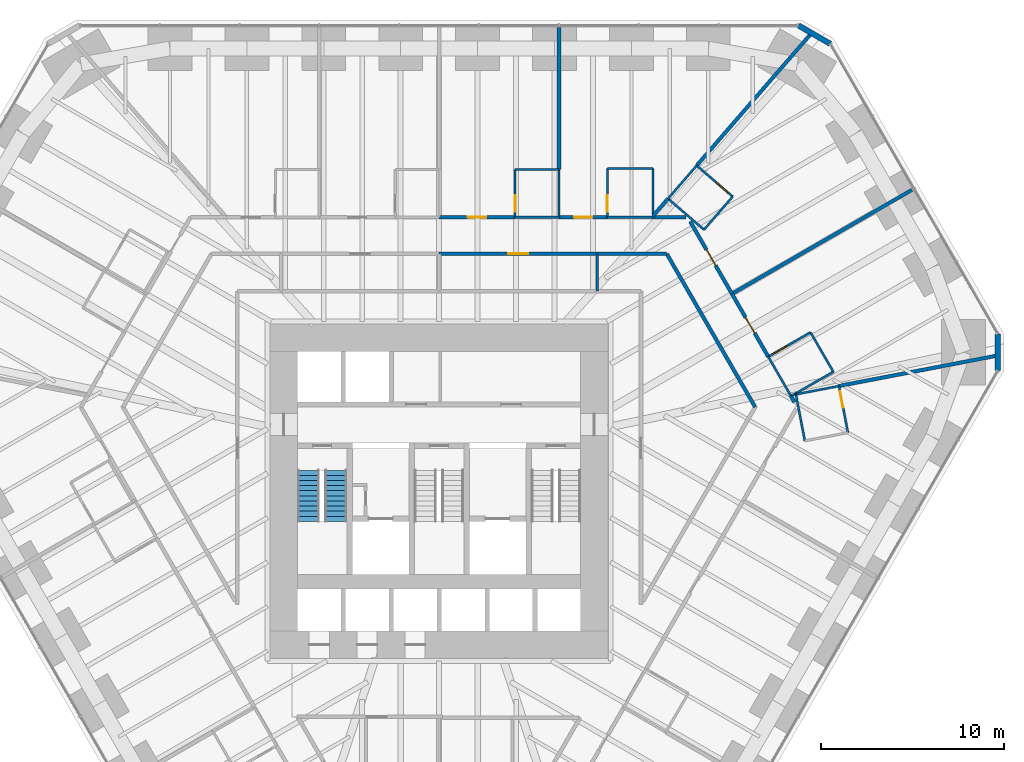
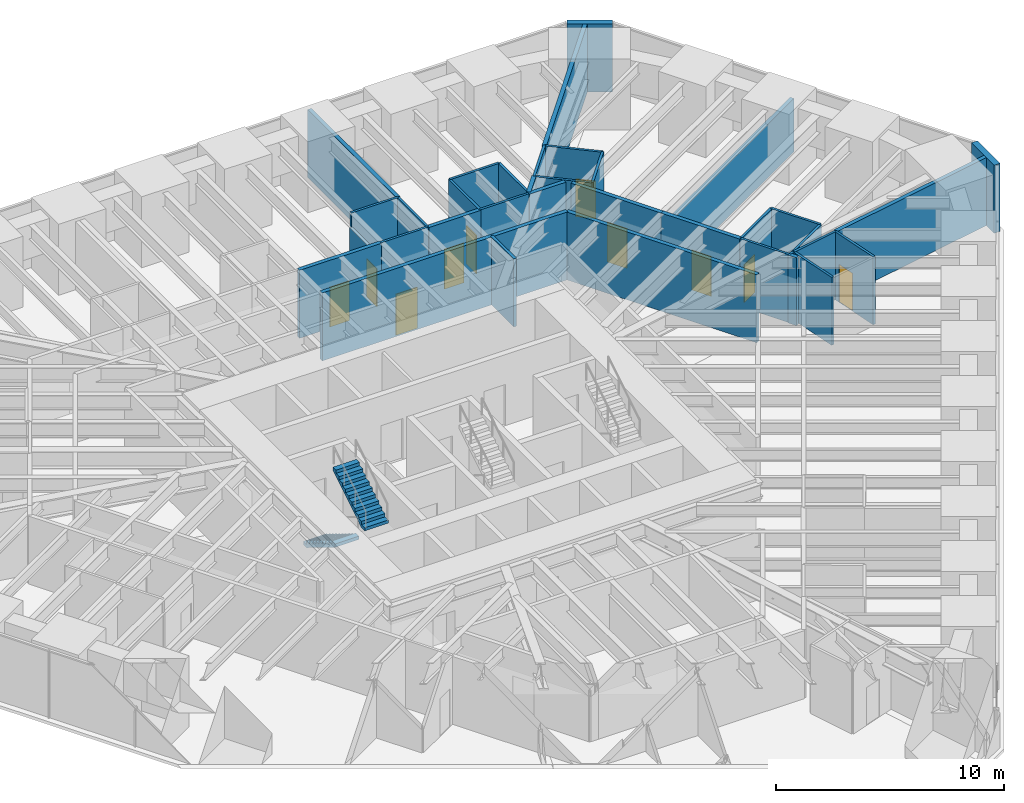
# One storey, part 15 of 17: 37 walls, 10 doors, 2 stair flights, 10 openings, 1 element without a shape of its own.
"""IFC4 building model written with IfcOpenShell, lengths in metres."""

from ifc_helpers import new_model, si_unit, direction, frame, frame_2d, origin, place, context, subcontext, project, spatial, polyline, rectangle, outline, extrude, material, layer, layer_set, type_object, element, fill, aggregate, save


model = new_model("IFC4")

# Units and contexts
model_context = context("Model", 3, precision=1e-05, world=origin(), true_north=direction((0.0, 1.0)))
body_context = subcontext(model_context, "Body", "Model", "MODEL_VIEW")
ifc_project = project(units=[si_unit("LENGTHUNIT", "METRE"), si_unit("AREAUNIT", "SQUARE_METRE"), si_unit("VOLUMEUNIT", "CUBIC_METRE"), si_unit("PLANEANGLEUNIT", "RADIAN"), si_unit("MASSUNIT", "GRAM", prefix="KILO")], contexts=[model_context])

# Site, building, storey
site_placement = place(None, origin())
site = spatial("IfcSite", under=ifc_project, at=site_placement, CompositionType="ELEMENT")
building_placement = place(site_placement, origin())
building = spatial("IfcBuilding", under=site, at=building_placement, Name="Sandreach Pilgrim Tower", CompositionType="ELEMENT")
storey_placement = place(building_placement, frame((0.0, 0.0, 45.800048828125)))
storey = spatial("IfcBuildingStorey", under=building, at=storey_placement, Name="L10", CompositionType="ELEMENT", Elevation=45.800048828125)

# Wall
ifc_material_1 = material(Name="Gypsum board on steel studs", Category="steel")
ifc_layer_1 = layer(ifc_material_1, 0.14990234375)
ifc_layer_set_1 = layer_set([ifc_layer_1], Name="Back of house wall 150")
wall_type_1 = type_object("IfcWallType", Name="Back of house wall 150", PredefinedType="PARTITIONING", material=ifc_layer_set_1)
wall_1_placement = place(storey_placement, frame((8.64990234375, 11.449951171875, 0.0), z_axis=(0.0, 0.0, 1.0), x_axis=(0.0, -1.0, 0.0)))
element("IfcWall", 1, at=wall_1_placement, inside=storey, type_object=wall_type_1, Name="Back of house wall L10-094", PredefinedType="PARTITIONING", context=body_context, shape_type="SweptSolid", body=[
    extrude(rectangle(XDim=2.050048828125, YDim=0.14990234375, at=frame_2d((1.02490234375, 0.0))), origin(), (0.0, 0.0, 1.0), 3.639892578125),
])

# Wall, opening, door
ifc_material_2 = material(Name="Moisture-resistant gypsum board on steel studs", Category="steel")
ifc_layer_2 = layer(ifc_material_2, 0.1201171875)
ifc_layer_set_2 = layer_set([ifc_layer_2], Name="Bathroom partition 120")
wall_type_2 = type_object("IfcWallType", Name="Bathroom partition 120", PredefinedType="PARTITIONING", material=ifc_layer_set_2)
wall_2_placement = place(storey_placement, frame((4.159912109375, 16.070068359375, 0.0), z_axis=(0.0, 0.0, 1.0), x_axis=(0.0, -1.0, 0.0)))
wall_2 = element("IfcWall", 2, at=wall_2_placement, inside=storey, type_object=wall_type_2, Name="Bathroom partition L10-076", PredefinedType="PARTITIONING", context=body_context, shape_type="SweptSolid", body=[
    extrude(rectangle(XDim=2.6201171875, YDim=0.1201171875, at=frame_2d((1.31005859375, 0.0))), origin(), (0.0, 0.0, 1.0), 2.8779296875),
])
opening_1_placement = place(wall_2_placement, frame((1.419921875, 0.0, 0.0)))
opening_1 = element("IfcOpeningElement", 3, at=opening_1_placement, cuts=wall_2, Name="Opening D09-03B", PredefinedType="OPENING", context=body_context, shape_type="SweptSolid", body=[
    extrude(rectangle(XDim=0.89990234375, YDim=2.030029296875, at=frame_2d((0.449951171875, 1.01513671875))), frame((0.0, 0.06005859375, 0.0), z_axis=(0.0, -1.0, 0.0), x_axis=(1.0, 0.0, 0.0)), (0.0, 0.0, 1.0), 0.1201171875),
])
ifc_material_3 = material(Name="Timber door, steel frame", Category="steel")
door_type_1 = type_object("IfcDoorType", Name="Bathroom door", OperationType="SINGLE_SWING_LEFT", PredefinedType="DOOR", material=ifc_material_3)
door_1_placement = place(opening_1_placement, origin())
door_1 = element("IfcDoor", 4, at=door_1_placement, inside=storey, type_object=door_type_1, Name="Door 1003B", OperationType="SINGLE_SWING_RIGHT", OverallHeight=2.030029296875, OverallWidth=0.89990234375, PredefinedType="DOOR", context=body_context, shape_type="SweptSolid", body=[
    extrude(rectangle(XDim=0.89990234375, YDim=2.030029296875, at=frame_2d((0.449951171875, 1.01513671875))), frame((0.0, 0.02490234375, 0.0), z_axis=(0.0, -1.0, 0.0), x_axis=(1.0, 0.0, 0.0)), (0.0, 0.0, 1.0), 0.050048828125),
])
fill(opening_1, door_1)

# Walls
for number, where, z_axis, x_axis, name in (
    (5, (6.56005859375, 13.449951171875, 0.0), (0.0, 0.0, 1.0), (-1.0, 0.0, 0.0), "Bathroom partition L10-081"),
    (6, (6.56005859375, 16.070068359375, 0.0), (0.0, 0.0, 1.0), (-1.0, 0.0, 0.0), "Bathroom partition L10-082"),
):
    element("IfcWall", number, at=place(storey_placement, frame(where, z_axis=z_axis, x_axis=x_axis)), inside=storey, type_object=wall_type_2, Name=name, PredefinedType="PARTITIONING", context=body_context, shape_type="SweptSolid", body=[
        extrude(rectangle(XDim=2.400146484375, YDim=0.1201171875, at=frame_2d((1.2001953125, 0.0))), origin(), (0.0, 0.0, 1.0), 3.639892578125),
    ])
wall_3_placement = place(storey_placement, frame((6.56005859375, 16.070068359375, 0.0), z_axis=(0.0, 0.0, 1.0), x_axis=(0.0, -1.0, 0.0)))
element("IfcWall", 7, at=wall_3_placement, inside=storey, type_object=wall_type_2, Name="Bathroom partition L10-083", PredefinedType="PARTITIONING", context=body_context, shape_type="SweptSolid", body=[
    extrude(rectangle(XDim=2.6201171875, YDim=0.1201171875, at=frame_2d((1.31005859375, 0.0))), origin(), (0.0, 0.0, 1.0), 3.639892578125),
])

# Wall, opening, door
wall_4_placement = place(storey_placement, frame((9.2099609375, 16.1201171875, 0.0), z_axis=(0.0, 0.0, 1.0), x_axis=(0.0, -1.0, 0.0)))
wall_4 = element("IfcWall", 8, at=wall_4_placement, inside=storey, type_object=wall_type_2, Name="Bathroom partition L10-098", PredefinedType="PARTITIONING", context=body_context, shape_type="SweptSolid", body=[
    extrude(rectangle(XDim=2.670166015625, YDim=0.1201171875, at=frame_2d((1.3349609375, 0.0))), origin(), (0.0, 0.0, 1.0), 3.639892578125),
])
opening_2_placement = place(wall_4_placement, frame((1.469970703125, 0.0, 0.0)))
opening_2 = element("IfcOpeningElement", 9, at=opening_2_placement, cuts=wall_4, Name="Opening D09-04B", PredefinedType="OPENING", context=body_context, shape_type="SweptSolid", body=[
    extrude(rectangle(XDim=0.89990234375, YDim=2.030029296875, at=frame_2d((0.449951171875, 1.01513671875))), frame((0.0, 0.06005859375, 0.0), z_axis=(0.0, -1.0, 0.0), x_axis=(1.0, 0.0, 0.0)), (0.0, 0.0, 1.0), 0.1201171875),
])
door_2_placement = place(opening_2_placement, origin())
door_2 = element("IfcDoor", 10, at=door_2_placement, inside=storey, type_object=door_type_1, Name="Door 1004B", OperationType="SINGLE_SWING_RIGHT", OverallHeight=2.030029296875, OverallWidth=0.89990234375, PredefinedType="DOOR", context=body_context, shape_type="SweptSolid", body=[
    extrude(rectangle(XDim=0.89990234375, YDim=2.030029296875, at=frame_2d((0.449951171875, 1.01513671875))), frame((0.0, 0.02490234375, 0.0), z_axis=(0.0, -1.0, 0.0), x_axis=(1.0, 0.0, 0.0)), (0.0, 0.0, 1.0), 0.050048828125),
])
fill(opening_2, door_2)

# Walls
wall_5_placement = place(storey_placement, frame((11.64990234375, 13.449951171875, 0.0), z_axis=(0.0, 0.0, 1.0), x_axis=(-1.0, 0.0, 0.0)))
element("IfcWall", 11, at=wall_5_placement, inside=storey, type_object=wall_type_2, Name="Bathroom partition L10-105", PredefinedType="PARTITIONING", context=body_context, shape_type="SweptSolid", body=[
    extrude(rectangle(XDim=2.43994140625, YDim=0.1201171875, at=frame_2d((1.219970703125, 0.0))), origin(), (0.0, 0.0, 1.0), 3.639892578125),
])
wall_6_placement = place(storey_placement, frame((11.7099609375, 13.60498046875, 0.0), z_axis=(0.0, 0.0, 1.0), x_axis=(0.0, 1.0, 0.0)))
element("IfcWall", 12, at=wall_6_placement, inside=storey, type_object=wall_type_2, Name="Bathroom partition L10-106", PredefinedType="PARTITIONING", context=body_context, shape_type="SweptSolid", body=[
    extrude(rectangle(XDim=2.51513671875, YDim=0.1201171875, at=frame_2d((1.257568359375, 0.0))), origin(), (0.0, 0.0, 1.0), 3.639892578125),
])
wall_7_placement = place(storey_placement, frame((11.7099609375, 16.1201171875, 0.0), z_axis=(0.0, 0.0, 1.0), x_axis=(-1.0, 0.0, 0.0)))
element("IfcWall", 13, at=wall_7_placement, inside=storey, type_object=wall_type_2, Name="Bathroom partition L10-107", PredefinedType="PARTITIONING", context=body_context, shape_type="SweptSolid", body=[
    extrude(rectangle(XDim=2.5, YDim=0.1201171875, at=frame_2d((1.25, 0.0))), origin(), (0.0, 0.0, 1.0), 3.639892578125),
])
wall_8_placement = place(storey_placement, frame((12.530029296875, 14.469970703125, 0.0), z_axis=(0.0, 0.0, 1.0), x_axis=(0.655194291402, 0.755460416245, 0.0)))
element("IfcWall", 14, at=wall_8_placement, inside=storey, type_object=wall_type_2, Name="Bathroom partition L10-111", PredefinedType="PARTITIONING", context=body_context, shape_type="SweptSolid", body=[
    extrude(rectangle(XDim=2.39599609375, YDim=0.1201171875, at=frame_2d((1.197998046875, 0.0))), origin(), (0.0, 0.0, 1.0), 3.639892578125),
])
wall_9_placement = place(storey_placement, frame((12.530029296875, 14.469970703125, 0.0), z_axis=(0.0, 0.0, 1.0), x_axis=(0.757086659925, -0.653314464377, 0.0)))
element("IfcWall", 15, at=wall_9_placement, inside=storey, type_object=wall_type_2, Name="Bathroom partition L10-112", PredefinedType="PARTITIONING", context=body_context, shape_type="SweptSolid", body=[
    extrude(rectangle(XDim=2.60205078125, YDim=0.1201171875, at=frame_2d((1.301025390625, 0.0))), origin(), (0.0, 0.0, 1.0), 3.639892578125),
])
wall_10_placement = place(storey_placement, frame((14.5, 12.77001953125, 0.0), z_axis=(0.0, 0.0, 1.0), x_axis=(0.655252439976, 0.755409981338, 0.0)))
element("IfcWall", 16, at=wall_10_placement, inside=storey, type_object=wall_type_2, Name="Bathroom partition L10-117", PredefinedType="PARTITIONING", context=body_context, shape_type="SweptSolid", body=[
    extrude(rectangle(XDim=2.396240234375, YDim=0.1201171875, at=frame_2d((1.1982421875, 0.0))), origin(), (0.0, 0.0, 1.0), 3.639892578125),
])

# Wall, opening, door
wall_11_placement = place(storey_placement, frame((16.070068359375, 14.580078125, 0.0), z_axis=(0.0, 0.0, 1.0), x_axis=(-0.757086659925, 0.653314464377, 0.0)))
wall_11 = element("IfcWall", 17, at=wall_11_placement, inside=storey, type_object=wall_type_2, Name="Bathroom partition L10-119", PredefinedType="PARTITIONING", context=body_context, shape_type="SweptSolid", body=[
    extrude(rectangle(XDim=2.60205078125, YDim=0.1201171875, at=frame_2d((1.301025390625, 0.0))), origin(), (0.0, 0.0, 1.0), 3.639892578125),
])
opening_3_placement = place(wall_11_placement, frame((0.300048828125, 0.0, 0.0)))
opening_3 = element("IfcOpeningElement", 18, at=opening_3_placement, cuts=wall_11, Name="Opening D09-05B", PredefinedType="OPENING", context=body_context, shape_type="SweptSolid", body=[
    extrude(rectangle(XDim=0.89990234375, YDim=2.030029296875, at=frame_2d((0.449951171875, 1.01513671875))), frame((0.0, 0.06005859375, 0.0), z_axis=(0.0, -1.0, 0.0), x_axis=(1.0, 0.0, 0.0)), (0.0, 0.0, 1.0), 0.1201171875),
])
door_3_placement = place(opening_3_placement, origin())
door_3 = element("IfcDoor", 19, at=door_3_placement, inside=storey, type_object=door_type_1, Name="Door 1005B", OperationType="SINGLE_SWING_LEFT", OverallHeight=2.030029296875, OverallWidth=0.89990234375, PredefinedType="DOOR", context=body_context, shape_type="SweptSolid", body=[
    extrude(rectangle(XDim=0.89990234375, YDim=2.030029296875, at=frame_2d((0.449951171875, 1.01513671875))), frame((0.0, 0.02490234375, 0.0), z_axis=(0.0, -1.0, 0.0), x_axis=(1.0, 0.0, 0.0)), (0.0, 0.0, 1.0), 0.050048828125),
])
fill(opening_3, door_3)

# Walls
wall_12_placement = place(storey_placement, frame((18.017578125, 5.818603515625, 0.0), z_axis=(0.0, 0.0, 1.0), x_axis=(0.499757016066, -0.866165645181, 0.0)))
element("IfcWall", 20, at=wall_12_placement, inside=storey, type_object=wall_type_2, Name="Bathroom partition L10-123", PredefinedType="PARTITIONING", context=body_context, shape_type="SweptSolid", body=[
    extrude(rectangle(XDim=2.446044921875, YDim=0.1201171875, at=frame_2d((1.22314453125, 0.0))), origin(), (0.0, 0.0, 1.0), 3.639892578125),
])
wall_13_placement = place(storey_placement, frame((19.274169921875, 3.70703125, 0.0), z_axis=(0.0, 0.0, 1.0), x_axis=(0.979121116236, 0.203277740395, 0.0)))
element("IfcWall", 21, at=wall_13_placement, inside=storey, type_object=wall_type_2, Name="Bathroom partition L10-125", PredefinedType="PARTITIONING", context=body_context, shape_type="SweptSolid", body=[
    extrude(rectangle(XDim=0.216064453125, YDim=0.1201171875, at=frame_2d((0.10791015625, 0.0))), origin(), (0.0, 0.0, 1.0), 3.639892578125),
])
wall_14_placement = place(storey_placement, frame((19.409912109375, 3.739990234375, 0.0), z_axis=(0.0, 0.0, 1.0), x_axis=(0.86653430447, 0.499117520406, 0.0)))
element("IfcWall", 22, at=wall_14_placement, inside=storey, type_object=wall_type_2, Name="Bathroom partition L10-126", PredefinedType="PARTITIONING", context=body_context, shape_type="SweptSolid", body=[
    extrude(rectangle(XDim=2.50439453125, YDim=0.1201171875, at=frame_2d((1.252197265625, 0.0))), origin(), (0.0, 0.0, 1.0), 3.639892578125),
])
wall_15_placement = place(storey_placement, frame((19.530029296875, 3.760009765625, 0.0), z_axis=(0.0, 0.0, 1.0), x_axis=(0.188697442844, -0.982035271802, 0.0)))
element("IfcWall", 23, at=wall_15_placement, inside=storey, type_object=wall_type_2, Name="Bathroom partition L10-127", PredefinedType="PARTITIONING", context=body_context, shape_type="SweptSolid", body=[
    extrude(rectangle(XDim=2.5966796875, YDim=0.1201171875, at=frame_2d((1.29833984375, 0.0))), origin(), (0.0, 0.0, 1.0), 3.639892578125),
])
wall_16_placement = place(storey_placement, frame((19.530029296875, 3.760009765625, 0.0), z_axis=(0.0, 0.0, 1.0), x_axis=(0.982303859288, 0.187294228499, 0.0)))
element("IfcWall", 24, at=wall_16_placement, inside=storey, type_object=wall_type_2, Name="Bathroom partition L10-128", PredefinedType="PARTITIONING", context=body_context, shape_type="SweptSolid", body=[
    extrude(rectangle(XDim=2.40234375, YDim=0.1201171875, at=frame_2d((1.201171875, 0.0))), origin(), (0.0, 0.0, 1.0), 3.639892578125),
])

# Wall, opening, door
wall_17_placement = place(storey_placement, frame((20.330078125, 7.14990234375, 0.0), z_axis=(0.0, 0.0, 1.0), x_axis=(-0.866654860089, -0.498908161372, 0.0)))
wall_17 = element("IfcWall", 25, at=wall_17_placement, inside=storey, type_object=wall_type_2, Name="Bathroom partition L10-130", PredefinedType="PARTITIONING", context=body_context, shape_type="SweptSolid", body=[
    extrude(rectangle(XDim=2.66552734375, YDim=0.1201171875, at=frame_2d((1.332763671875, 0.0))), origin(), (0.0, 0.0, 1.0), 3.639892578125),
])
opening_4_placement = place(wall_17_placement, frame((1.465576171875, 0.0, 0.0)))
opening_4 = element("IfcOpeningElement", 26, at=opening_4_placement, cuts=wall_17, Name="Opening D09-06B", PredefinedType="OPENING", context=body_context, shape_type="SweptSolid", body=[
    extrude(rectangle(XDim=0.89990234375, YDim=2.030029296875, at=frame_2d((0.449951171875, 1.01513671875))), frame((0.0, 0.06005859375, 0.0), z_axis=(0.0, -1.0, 0.0), x_axis=(1.0, 0.0, 0.0)), (0.0, 0.0, 1.0), 0.1201171875),
])
door_4_placement = place(opening_4_placement, origin())
door_4 = element("IfcDoor", 27, at=door_4_placement, inside=storey, type_object=door_type_1, Name="Door 1006B", OperationType="SINGLE_SWING_RIGHT", OverallHeight=2.030029296875, OverallWidth=0.89990234375, PredefinedType="DOOR", context=body_context, shape_type="SweptSolid", body=[
    extrude(rectangle(XDim=0.89990234375, YDim=2.030029296875, at=frame_2d((0.449951171875, 1.01513671875))), frame((0.0, 0.02490234375, 0.0), z_axis=(0.0, -1.0, 0.0), x_axis=(1.0, 0.0, 0.0)), (0.0, 0.0, 1.0), 0.050048828125),
])
fill(opening_4, door_4)

# Wall
wall_18_placement = place(storey_placement, frame((21.580078125, 4.989990234375, 0.0), z_axis=(0.0, 0.0, 1.0), x_axis=(-0.500893576935, 0.865508881864, 0.0)))
element("IfcWall", 28, at=wall_18_placement, inside=storey, type_object=wall_type_2, Name="Bathroom partition L10-131", PredefinedType="PARTITIONING", context=body_context, shape_type="SweptSolid", body=[
    extrude(rectangle(XDim=2.49560546875, YDim=0.1201171875, at=frame_2d((1.247802734375, 0.0))), origin(), (0.0, 0.0, 1.0), 3.639892578125),
])

# Wall, opening, door
wall_19_placement = place(storey_placement, frame((22.3798828125, 1.659912109375, 0.0), z_axis=(0.0, 0.0, 1.0), x_axis=(-0.188697442844, 0.982035271802, 0.0)))
wall_19 = element("IfcWall", 29, at=wall_19_placement, inside=storey, type_object=wall_type_2, Name="Bathroom partition L10-133", PredefinedType="PARTITIONING", context=body_context, shape_type="SweptSolid", body=[
    extrude(rectangle(XDim=2.5966796875, YDim=0.1201171875, at=frame_2d((1.29833984375, 0.0))), origin(), (0.0, 0.0, 1.0), 3.639892578125),
])
opening_5_placement = place(wall_19_placement, frame((1.396728515625, 0.0, 0.0)))
opening_5 = element("IfcOpeningElement", 30, at=opening_5_placement, cuts=wall_19, Name="Opening D09-07B", PredefinedType="OPENING", context=body_context, shape_type="SweptSolid", body=[
    extrude(rectangle(XDim=0.89990234375, YDim=2.030029296875, at=frame_2d((0.449951171875, 1.01513671875))), frame((0.0, 0.06005859375, 0.0), z_axis=(0.0, -1.0, 0.0), x_axis=(1.0, 0.0, 0.0)), (0.0, 0.0, 1.0), 0.1201171875),
])
door_5_placement = place(opening_5_placement, origin())
door_5 = element("IfcDoor", 31, at=door_5_placement, inside=storey, type_object=door_type_1, Name="Door 1007B", OperationType="SINGLE_SWING_RIGHT", OverallHeight=2.030029296875, OverallWidth=0.89990234375, PredefinedType="DOOR", context=body_context, shape_type="SweptSolid", body=[
    extrude(rectangle(XDim=0.89990234375, YDim=2.030029296875, at=frame_2d((0.449951171875, 1.01513671875))), frame((0.0, 0.02490234375, 0.0), z_axis=(0.0, -1.0, 0.0), x_axis=(1.0, 0.0, 0.0)), (0.0, 0.0, 1.0), 0.050048828125),
])
fill(opening_5, door_5)

ifc_material_4 = material(Name="Gypsum board on steel studs, two layers each side", Category="steel")
ifc_layer_3 = layer(ifc_material_4, 0.199951171875)
ifc_layer_set_3 = layer_set([ifc_layer_3], Name="Corridor wall 200")
wall_type_3 = type_object("IfcWallType", Name="Corridor wall 200", PredefinedType="PARTITIONING", material=ifc_layer_set_3)
wall_20_placement = place(storey_placement, frame((0.0, 11.449951171875, 0.0), z_axis=(0.0, 0.0, 1.0), x_axis=(1.0, 0.0, 0.0)))
wall_20 = element("IfcWall", 32, at=wall_20_placement, inside=storey, type_object=wall_type_3, Name="Corridor wall L10-065", PredefinedType="PARTITIONING", context=body_context, shape_type="SweptSolid", body=[
    extrude(rectangle(XDim=8.64990234375, YDim=0.199951171875, at=frame_2d((4.324951171875, 0.0))), origin(), (0.0, 0.0, 1.0), 3.639892578125),
])
opening_6_placement = place(wall_20_placement, frame((3.77490234375, 0.0, 0.0)))
opening_6 = element("IfcOpeningElement", 33, at=opening_6_placement, cuts=wall_20, Name="Opening D11H-M03", PredefinedType="OPENING", context=body_context, shape_type="SweptSolid", body=[
    extrude(rectangle(XDim=1.10009765625, YDim=2.199951171875, at=frame_2d((0.550048828125, 1.10009765625))), frame((0.0, 0.10009765625, 0.0), z_axis=(0.0, -1.0, 0.0), x_axis=(1.0, 0.0, 0.0)), (0.0, 0.0, 1.0), 0.199951171875),
])
ifc_material_5 = material(Name="Steel door and frame", Category="steel")
door_type_2 = type_object("IfcDoorType", Name="Back of house door", OperationType="SINGLE_SWING_LEFT", PredefinedType="DOOR", material=ifc_material_5)
door_6_placement = place(opening_6_placement, origin())
door_6 = element("IfcDoor", 34, at=door_6_placement, inside=storey, type_object=door_type_2, Name="Door 10M03", OperationType="SINGLE_SWING_LEFT", OverallHeight=2.199951171875, OverallWidth=1.10009765625, PredefinedType="DOOR", context=body_context, shape_type="SweptSolid", body=[
    extrude(rectangle(XDim=1.10009765625, YDim=2.199951171875, at=frame_2d((0.550048828125, 1.10009765625))), frame((0.0, 0.02490234375, 0.0), z_axis=(0.0, -1.0, 0.0), x_axis=(1.0, 0.0, 0.0)), (0.0, 0.0, 1.0), 0.050048828125),
])
fill(opening_6, door_6)

wall_21_placement = place(storey_placement, frame((4.159912109375, 13.449951171875, 0.0), z_axis=(0.0, 0.0, 1.0), x_axis=(-1.0, 0.0, 0.0)))
wall_21 = element("IfcWall", 35, at=wall_21_placement, inside=storey, type_object=wall_type_3, Name="Corridor wall L10-075", PredefinedType="PARTITIONING", context=body_context, shape_type="SweptSolid", body=[
    extrude(rectangle(XDim=4.159912109375, YDim=0.199951171875, at=frame_2d((2.080078125, 0.0))), origin(), (0.0, 0.0, 1.0), 3.639892578125),
])
opening_7_placement = place(wall_21_placement, frame((1.580078125, 0.0, 0.0)))
opening_7 = element("IfcOpeningElement", 36, at=opening_7_placement, cuts=wall_21, Name="Opening D10-03", PredefinedType="OPENING", context=body_context, shape_type="SweptSolid", body=[
    extrude(rectangle(XDim=1.0, YDim=2.1298828125, at=frame_2d((0.5, 1.06494140625))), frame((0.0, 0.10009765625, 0.0), z_axis=(0.0, -1.0, 0.0), x_axis=(1.0, 0.0, 0.0)), (0.0, 0.0, 1.0), 0.199951171875),
])
ifc_material_6 = material(Name="Steel door and frame", Category="steel")
door_type_3 = type_object("IfcDoorType", Name="Guest room entry door", OperationType="SINGLE_SWING_LEFT", PredefinedType="DOOR", material=ifc_material_6)
door_7_placement = place(opening_7_placement, origin())
door_7 = element("IfcDoor", 37, at=door_7_placement, inside=storey, type_object=door_type_3, Name="Door 1003", OperationType="SINGLE_SWING_LEFT", OverallHeight=2.1298828125, OverallWidth=1.0, PredefinedType="DOOR", context=body_context, shape_type="SweptSolid", body=[
    extrude(rectangle(XDim=1.0, YDim=2.1298828125, at=frame_2d((0.5, 1.06494140625))), frame((0.0, 0.02490234375, 0.0), z_axis=(0.0, -1.0, 0.0), x_axis=(1.0, 0.0, 0.0)), (0.0, 0.0, 1.0), 0.050048828125),
])
fill(opening_7, door_7)

# Wall
wall_22_placement = place(storey_placement, frame((8.64990234375, 11.449951171875, 0.0), z_axis=(0.0, 0.0, 1.0), x_axis=(1.0, 0.0, 0.0)))
element("IfcWall", 38, at=wall_22_placement, inside=storey, type_object=wall_type_3, Name="Corridor wall L10-095", PredefinedType="PARTITIONING", context=body_context, shape_type="SweptSolid", body=[
    extrude(rectangle(XDim=3.81005859375, YDim=0.199951171875, at=frame_2d((1.905029296875, 0.0))), origin(), (0.0, 0.0, 1.0), 3.639892578125),
])

# Wall, opening, door
wall_23_placement = place(storey_placement, frame((9.2099609375, 13.449951171875, 0.0), z_axis=(0.0, 0.0, 1.0), x_axis=(-1.0, 0.0, 0.0)))
wall_23 = element("IfcWall", 39, at=wall_23_placement, inside=storey, type_object=wall_type_3, Name="Corridor wall L10-097", PredefinedType="PARTITIONING", context=body_context, shape_type="SweptSolid", body=[
    extrude(rectangle(XDim=2.64990234375, YDim=0.199951171875, at=frame_2d((1.324951171875, 0.0))), origin(), (0.0, 0.0, 1.0), 3.639892578125),
])
opening_8_placement = place(wall_23_placement, frame((0.824951171875, 0.0, 0.0)))
opening_8 = element("IfcOpeningElement", 40, at=opening_8_placement, cuts=wall_23, Name="Opening D10-04", PredefinedType="OPENING", context=body_context, shape_type="SweptSolid", body=[
    extrude(rectangle(XDim=1.0, YDim=2.1298828125, at=frame_2d((0.5, 1.06494140625))), frame((0.0, 0.10009765625, 0.0), z_axis=(0.0, -1.0, 0.0), x_axis=(1.0, 0.0, 0.0)), (0.0, 0.0, 1.0), 0.199951171875),
])
door_8_placement = place(opening_8_placement, origin())
door_8 = element("IfcDoor", 41, at=door_8_placement, inside=storey, type_object=door_type_3, Name="Door 1004", OperationType="SINGLE_SWING_LEFT", OverallHeight=2.1298828125, OverallWidth=1.0, PredefinedType="DOOR", context=body_context, shape_type="SweptSolid", body=[
    extrude(rectangle(XDim=1.0, YDim=2.1298828125, at=frame_2d((0.5, 1.06494140625))), frame((0.0, 0.02490234375, 0.0), z_axis=(0.0, -1.0, 0.0), x_axis=(1.0, 0.0, 0.0)), (0.0, 0.0, 1.0), 0.050048828125),
])
fill(opening_8, door_8)

# Walls
wall_24_placement = place(storey_placement, frame((12.4599609375, 11.449951171875, 0.0), z_axis=(0.0, 0.0, 1.0), x_axis=(0.499704269421, -0.866196076603, 0.0)))
element("IfcWall", 42, at=wall_24_placement, inside=storey, type_object=wall_type_3, Name="Corridor wall L10-110", PredefinedType="PARTITIONING", context=body_context, shape_type="SweptSolid", body=[
    extrude(rectangle(XDim=9.685791015625, YDim=0.199951171875, at=frame_2d((4.8427734375, 0.0))), origin(), (0.0, 0.0, 1.0), 3.639892578125),
])
wall_25_placement = place(storey_placement, frame((13.5048828125, 13.449951171875, 0.0), z_axis=(0.0, 0.0, 1.0), x_axis=(-1.0, 0.0, 0.0)))
element("IfcWall", 43, at=wall_25_placement, inside=storey, type_object=wall_type_3, Name="Corridor wall L10-113", PredefinedType="PARTITIONING", context=body_context, shape_type="SweptSolid", body=[
    extrude(rectangle(XDim=1.85498046875, YDim=0.199951171875, at=frame_2d((0.927490234375, 0.0))), origin(), (0.0, 0.0, 1.0), 3.639892578125),
])

# Wall, opening, door
wall_26_placement = place(storey_placement, frame((13.742431640625, 13.220458984375, 0.0), z_axis=(0.0, 0.0, 1.0), x_axis=(0.500169095125, -0.865927754655, 0.0)))
wall_26 = element("IfcWall", 44, at=wall_26_placement, inside=storey, type_object=wall_type_3, Name="Corridor wall L10-115", PredefinedType="PARTITIONING", context=body_context, shape_type="SweptSolid", body=[
    extrude(rectangle(XDim=4.57373046875, YDim=0.199951171875, at=frame_2d((2.286865234375, 0.0))), origin(), (0.0, 0.0, 1.0), 3.639892578125),
])
opening_9_placement = place(wall_26_placement, frame((1.786865234375, 0.0, 0.0)))
opening_9 = element("IfcOpeningElement", 45, at=opening_9_placement, cuts=wall_26, Name="Opening D10-05", PredefinedType="OPENING", context=body_context, shape_type="SweptSolid", body=[
    extrude(rectangle(XDim=1.0, YDim=2.1298828125, at=frame_2d((0.5, 1.06494140625))), frame((0.0, 0.10009765625, 0.0), z_axis=(0.0, -1.0, 0.0), x_axis=(1.0, 0.0, 0.0)), (0.0, 0.0, 1.0), 0.199951171875),
])
door_9_placement = place(opening_9_placement, origin())
door_9 = element("IfcDoor", 46, at=door_9_placement, inside=storey, type_object=door_type_3, Name="Door 1005", OperationType="SINGLE_SWING_LEFT", OverallHeight=2.1298828125, OverallWidth=1.0, PredefinedType="DOOR", context=body_context, shape_type="SweptSolid", body=[
    extrude(rectangle(XDim=1.0, YDim=2.1298828125, at=frame_2d((0.5, 1.06494140625))), frame((0.0, 0.02490234375, 0.0), z_axis=(0.0, -1.0, 0.0), x_axis=(1.0, 0.0, 0.0)), (0.0, 0.0, 1.0), 0.050048828125),
])
fill(opening_9, door_9)

wall_27_placement = place(storey_placement, frame((16.030029296875, 9.260009765625, 0.0), z_axis=(0.0, 0.0, 1.0), x_axis=(0.500123041693, -0.865954353975, 0.0)))
wall_27 = element("IfcWall", 47, at=wall_27_placement, inside=storey, type_object=wall_type_3, Name="Corridor wall L10-118", PredefinedType="PARTITIONING", context=body_context, shape_type="SweptSolid", body=[
    extrude(rectangle(XDim=3.97412109375, YDim=0.199951171875, at=frame_2d((1.987060546875, 0.0))), origin(), (0.0, 0.0, 1.0), 3.639892578125),
])
opening_10_placement = place(wall_27_placement, frame((1.487060546875, 0.0, 0.0)))
opening_10 = element("IfcOpeningElement", 48, at=opening_10_placement, cuts=wall_27, Name="Opening D10-06", PredefinedType="OPENING", context=body_context, shape_type="SweptSolid", body=[
    extrude(rectangle(XDim=1.0, YDim=2.1298828125, at=frame_2d((0.5, 1.06494140625))), frame((0.0, 0.10009765625, 0.0), z_axis=(0.0, -1.0, 0.0), x_axis=(1.0, 0.0, 0.0)), (0.0, 0.0, 1.0), 0.199951171875),
])
door_10_placement = place(opening_10_placement, origin())
door_10 = element("IfcDoor", 49, at=door_10_placement, inside=storey, type_object=door_type_3, Name="Door 1006", OperationType="SINGLE_SWING_LEFT", OverallHeight=2.1298828125, OverallWidth=1.0, PredefinedType="DOOR", context=body_context, shape_type="SweptSolid", body=[
    extrude(rectangle(XDim=1.0, YDim=2.1298828125, at=frame_2d((0.5, 1.06494140625))), frame((0.0, 0.02490234375, 0.0), z_axis=(0.0, -1.0, 0.0), x_axis=(1.0, 0.0, 0.0)), (0.0, 0.0, 1.0), 0.050048828125),
])
fill(opening_10, door_10)

# Walls
wall_28_placement = place(storey_placement, frame((19.239990234375, 3.699951171875, 0.0), z_axis=(0.0, 0.0, 1.0), x_axis=(0.500371262739, -0.865810949009, 0.0)))
element("IfcWall", 50, at=wall_28_placement, inside=storey, type_object=wall_type_3, Name="Corridor wall L10-124", PredefinedType="PARTITIONING", context=body_context, shape_type="SweptSolid", body=[
    extrude(rectangle(XDim=0.434326171875, YDim=0.199951171875, at=frame_2d((0.21728515625, 0.0))), origin(), (0.0, 0.0, 1.0), 3.639892578125),
])
ifc_material_7 = material(Name="Double steel stud acoustic wall, gypsum board", Category="steel")
ifc_layer_4 = layer(ifc_material_7, 0.199951171875)
ifc_layer_set_4 = layer_set([ifc_layer_4], Name="Party wall 200")
wall_type_4 = type_object("IfcWallType", Name="Party wall 200", PredefinedType="PARTITIONING", material=ifc_layer_set_4)
wall_29_placement = place(storey_placement, frame((6.56005859375, 23.830078125, 0.0), z_axis=(0.0, 0.0, 1.0), x_axis=(0.0, -1.0, 0.0)))
element("IfcWall", 51, at=wall_29_placement, inside=storey, type_object=wall_type_4, Name="Party wall L10-084", PredefinedType="PARTITIONING", context=body_context, shape_type="SweptSolid", body=[
    extrude(rectangle(XDim=7.760009765625, YDim=0.199951171875, at=frame_2d((3.8798828125, 0.0))), origin(), (0.0, 0.0, 1.0), 3.639892578125),
])
wall_30_placement = place(storey_placement, frame((11.715087890625, 13.525634765625, 0.0), z_axis=(0.0, 0.0, 1.0), x_axis=(0.653334457224, 0.757069406993, 0.0)))
element("IfcWall", 52, at=wall_30_placement, inside=storey, type_object=wall_type_4, Name="Party wall L10-108", PredefinedType="PARTITIONING", context=body_context, shape_type="SweptSolid", body=[
    extrude(rectangle(XDim=1.247314453125, YDim=0.199951171875, at=frame_2d((0.62353515625, 0.0))), origin(), (0.0, 0.0, 1.0), 3.639892578125),
])
wall_31_placement = place(storey_placement, frame((14.10009765625, 16.280029296875, 0.0), z_axis=(0.0, 0.0, 1.0), x_axis=(0.655045529498, 0.755589408531, 0.0)))
element("IfcWall", 53, at=wall_31_placement, inside=storey, type_object=wall_type_4, Name="Party wall L10-116", PredefinedType="PARTITIONING", context=body_context, shape_type="SweptSolid", body=[
    extrude(rectangle(XDim=9.6181640625, YDim=0.199951171875, at=frame_2d((4.80908203125, 0.0))), origin(), (0.0, 0.0, 1.0), 3.639892578125),
])
wall_32_placement = place(storey_placement, frame((21.88916015625, 4.214599609375, 0.0), z_axis=(0.0, 0.0, 1.0), x_axis=(0.982083212717, 0.188447773401, 0.0)))
element("IfcWall", 54, at=wall_32_placement, inside=storey, type_object=wall_type_4, Name="Party wall L10-132", PredefinedType="PARTITIONING", context=body_context, shape_type="SweptSolid", body=[
    extrude(rectangle(XDim=8.860107421875, YDim=0.199951171875, at=frame_2d((4.43017578125, 0.0))), origin(), (0.0, 0.0, 1.0), 3.639892578125),
])
wall_33_placement = place(storey_placement, frame((25.885986328125, 14.949951171875, 0.0), z_axis=(0.0, 0.0, 1.0), x_axis=(-0.86604429266, -0.499967282081, 0.0)))
element("IfcWall", 55, at=wall_33_placement, inside=storey, type_object=wall_type_4, Name="Party wall L10-135", PredefinedType="PARTITIONING", context=body_context, shape_type="SweptSolid", body=[
    extrude(rectangle(XDim=11.365478515625, YDim=0.199951171875, at=frame_2d((5.6826171875, 0.0))), origin(), (0.0, 0.0, 1.0), 2.860107421875),
])
ifc_material_8 = material(Name="Terracotta rainscreen on concrete", Category="masonry")
ifc_layer_5 = layer(ifc_material_8, 0.300048828125)
ifc_layer_set_5 = layer_set([ifc_layer_5], Name="Terracotta chamfer pier")
wall_type_5 = type_object("IfcWallType", Name="Terracotta chamfer pier", PredefinedType="SOLIDWALL", material=ifc_layer_set_5)
for number, where, z_axis, x_axis, name in (
    (56, (19.672119140625, 23.94873046875, 0.0), (0.0, 0.0, 1.0), (0.866010750942, -0.50002537861, 0.0), "Chamfer pier L10 N"),
    (57, (30.576171875, 7.062255859375, 0.0), (0.0, 0.0, 1.0), (0.0, -1.0, 0.0), "Chamfer pier L10 NE"),
):
    element("IfcWall", number, at=place(storey_placement, frame(where, z_axis=z_axis, x_axis=x_axis)), inside=storey, type_object=wall_type_5, Name=name, PredefinedType="SOLIDWALL", context=body_context, shape_type="SweptSolid", body=[
        extrude(rectangle(XDim=2.0, YDim=0.300048828125, at=frame_2d((1.0, 0.0))), origin(), (0.0, 0.0, 1.0), 3.639892578125),
    ])

# Stair, stair flights
ifc_material_9 = material(Name="Concrete 8000 psi", Category="concrete")
stair_type = type_object("IfcStairType", Name="Core exit stair", PredefinedType="HALF_TURN_STAIR", material=ifc_material_9)
stair_placement = place(storey_placement, origin())
stair = element("IfcStair", 58, at=stair_placement, inside=storey, type_object=stair_type, Name="Exit stair ST1 L10", PredefinedType="HALF_TURN_STAIR")
ifc_material_10 = material(Name="Concrete 8000 psi", Category="concrete")
stair_flight_type = type_object("IfcStairFlightType", Name="Core stair flight 1200", PredefinedType="STRAIGHT", material=ifc_material_10)
stair_flight_1_placement = place(storey_placement, frame((-7.14990234375, -0.39990234375, 0.0), z_axis=(0.0, 0.0, 1.0), x_axis=(0.0, -1.0, 0.0)))
stair_flight_1 = element("IfcStairFlight", 59, at=stair_flight_1_placement, type_object=stair_flight_type, Name="ST1 flight 1", NumberOfRisers=11, NumberOfTreads=10, PredefinedType="STRAIGHT", RiserHeight=0.172727273, TreadLength=0.28, context=body_context, shape_type="SweptSolid", body=[
    extrude(outline(polyline([(0.0, 0.0), (0.0, 0.172607421875), (0.280029296875, 0.172607421875), (0.280029296875, 0.345458984375), (0.56005859375, 0.345458984375), (0.56005859375, 0.51806640625), (0.840087890625, 0.51806640625), (0.840087890625, 0.69091796875), (1.1201171875, 0.69091796875), (1.1201171875, 0.863525390625), (1.39990234375, 0.863525390625), (1.39990234375, 1.036376953125), (1.679931640625, 1.036376953125), (1.679931640625, 1.208984375), (1.9599609375, 1.208984375), (1.9599609375, 1.3818359375), (2.239990234375, 1.3818359375), (2.239990234375, 1.554443359375), (2.52001953125, 1.554443359375), (2.52001953125, 1.727294921875), (2.800048828125, 1.727294921875), (2.800048828125, 1.89990234375), (2.800048828125, 1.551025390625), (0.285400390625, 0.0), (0.0, 0.0)])), frame((0.0, 0.60009765625, 0.0), z_axis=(0.0, -1.0, 0.0), x_axis=(1.0, 0.0, 0.0)), (0.0, 0.0, 1.0), 1.199951171875),
])
stair_flight_2_placement = place(storey_placement, frame((-5.64990234375, -3.199951171875, 1.89990234375), z_axis=(0.0, 0.0, 1.0), x_axis=(0.0, 1.0, 0.0)))
stair_flight_2 = element("IfcStairFlight", 60, at=stair_flight_2_placement, type_object=stair_flight_type, Name="ST1 flight 2", NumberOfRisers=11, NumberOfTreads=10, PredefinedType="STRAIGHT", RiserHeight=0.172727273, TreadLength=0.28, context=body_context, shape_type="SweptSolid", body=[
    extrude(outline(polyline([(0.0, 0.0), (0.0, 0.172607421875), (0.280029296875, 0.172607421875), (0.280029296875, 0.345458984375), (0.56005859375, 0.345458984375), (0.56005859375, 0.51806640625), (0.840087890625, 0.51806640625), (0.840087890625, 0.69091796875), (1.1201171875, 0.69091796875), (1.1201171875, 0.863525390625), (1.39990234375, 0.863525390625), (1.39990234375, 1.036376953125), (1.679931640625, 1.036376953125), (1.679931640625, 1.208984375), (1.9599609375, 1.208984375), (1.9599609375, 1.3818359375), (2.239990234375, 1.3818359375), (2.239990234375, 1.554443359375), (2.52001953125, 1.554443359375), (2.52001953125, 1.727294921875), (2.800048828125, 1.727294921875), (2.800048828125, 1.89990234375), (2.800048828125, 1.551025390625), (0.285400390625, 0.0), (0.0, 0.0)])), frame((0.0, 0.60009765625, 0.0), z_axis=(0.0, -1.0, 0.0), x_axis=(1.0, 0.0, 0.0)), (0.0, 0.0, 1.0), 1.199951171875),
])
aggregate(stair, [stair_flight_1, stair_flight_2])

save(model, "model.ifc")
